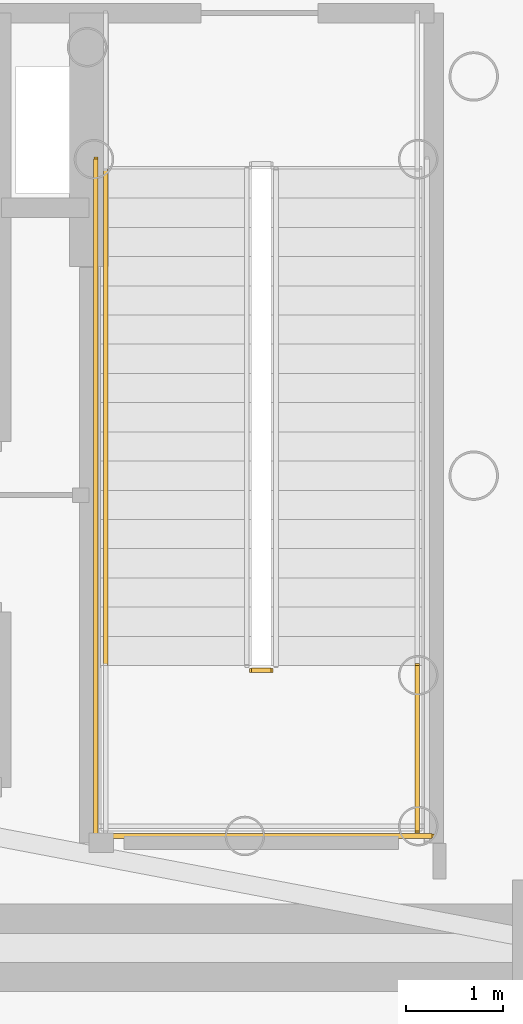
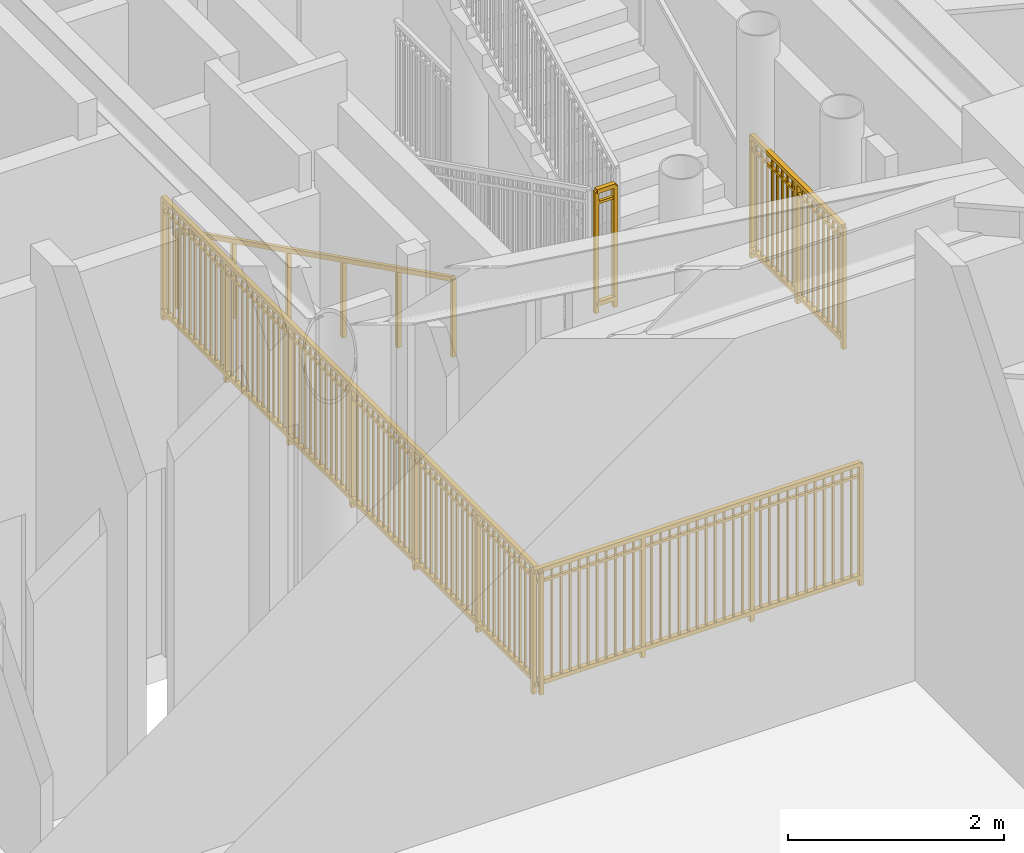
# One storey, part 20 of 22: 5 railings.
"""IFC4 building model written with IfcOpenShell, lengths in metres."""

import ifcopenshell
import ifcopenshell.guid

model = None  # the IFC model being written
_history = None  # IfcOwnerHistory: only IFC2X3 demands one
_inside = {}  # id of a spatial element -> (the spatial element, [elements in it])
_under = {}  # id of a project, library or spatial element -> (it, [spatial elements below it])
_declared = {}  # id of a project -> (the project, [libraries it declares])
_typed = {}  # id of a type object -> (the type object, [elements of that type])
_made_of = {}  # id of a material, layer set ... -> (it, [elements and type objects made of it])


def new_model(schema):
    """Start an empty IFC model of exactly this schema.

    Asked for "IFC4X3", IfcOpenShell would pick the latest addendum, in which some entities
    have other attributes; the version numbers below select the first issue.
    IFC2X3 requires an IfcOwnerHistory on every rooted entity: one is made here for all.
    """
    global model, _history
    if schema == "IFC4X3":
        model = ifcopenshell.file(schema_version=(4, 3, 0, 0))
    else:
        model = ifcopenshell.file(schema=schema)
    _inside.clear()
    _under.clear()
    _declared.clear()
    _typed.clear()
    _made_of.clear()
    _history = None
    if model.schema == "IFC2X3":
        org = make("IfcOrganization", Name="unknown")
        user = make(
            "IfcPersonAndOrganization",
            ThePerson=make("IfcPerson", FamilyName="unknown"),
            TheOrganization=org,
        )
        app = make(
            "IfcApplication",
            ApplicationDeveloper=org,
            Version="unknown",
            ApplicationFullName="unknown",
            ApplicationIdentifier="unknown",
        )
        _history = make(
            "IfcOwnerHistory",
            OwningUser=user,
            OwningApplication=app,
            ChangeAction="ADDED",
            CreationDate=0,
        )
    return model


def make(cls, **values):
    """One entity of the class cls with the attributes given. An attribute that is None is left unset."""
    return model.create_entity(
        cls, **{name: value for name, value in values.items() if value is not None}
    )


def rooted(cls, **values):
    """An entity with a GlobalId (a new one), such as an element, a storey or a relation."""
    return make(cls, GlobalId=ifcopenshell.guid.new(), OwnerHistory=_history, **values)


def si_unit(unit_type, name, prefix=None):
    """IfcSIUnit, for example si_unit("LENGTHUNIT", "METRE", prefix="MILLI")."""
    return make("IfcSIUnit", UnitType=unit_type, Prefix=prefix, Name=name)


def assignment(units):
    """IfcUnitAssignment: the units of a project."""
    return None if units is None else make("IfcUnitAssignment", Units=units)


def point(xyz):
    """IfcCartesianPoint."""
    return None if xyz is None else make("IfcCartesianPoint", Coordinates=xyz)


def direction(xyz):
    """IfcDirection."""
    return None if xyz is None else make("IfcDirection", DirectionRatios=xyz)


def frame(location, z_axis=None, x_axis=None):
    """IfcAxis2Placement3D, a coordinate frame: its origin and axes. An axis left out is left unset."""
    return make(
        "IfcAxis2Placement3D",
        Location=point(location),
        Axis=direction(z_axis),
        RefDirection=direction(x_axis),
    )


def frame_2d(location, x_axis=None):
    """IfcAxis2Placement2D, a coordinate frame in the plane: its origin and x axis."""
    return make(
        "IfcAxis2Placement2D", Location=point(location), RefDirection=direction(x_axis)
    )


def origin():
    """The frame at (0, 0, 0) with its axes left unset."""
    return frame((0.0, 0.0, 0.0))


def origin_2d():
    """The frame at (0, 0) in the plane with its x axis left unset."""
    return frame_2d((0.0, 0.0))


def place(relative_to, where):
    """IfcLocalPlacement: puts the frame where relative to a parent placement (None: the world)."""
    return make(
        "IfcLocalPlacement", PlacementRelTo=relative_to, RelativePlacement=where
    )


def context(
    kind, dimensions, precision=None, world=None, true_north=None, identifier=None
):
    """IfcGeometricRepresentationContext, for example the 3D "Model" context."""
    return make(
        "IfcGeometricRepresentationContext",
        ContextIdentifier=identifier,
        ContextType=kind,
        CoordinateSpaceDimension=dimensions,
        Precision=precision,
        WorldCoordinateSystem=world,
        TrueNorth=true_north,
    )


def subcontext(parent, identifier, kind, view, scale=None):
    """IfcGeometricRepresentationSubContext, for example "Body" below "Model"."""
    return make(
        "IfcGeometricRepresentationSubContext",
        ContextIdentifier=identifier,
        ContextType=kind,
        ParentContext=parent,
        TargetScale=scale,
        TargetView=view,
    )


def project(units=None, contexts=None):
    """IfcProject with its units and contexts."""
    return rooted(
        "IfcProject",
        Name="project",
        RepresentationContexts=contexts,
        UnitsInContext=assignment(units),
    )


def spatial(cls, under=None, at=None, **own):
    """A site, building, storey or space (cls), placed at a placement, below another one or the project."""
    s = rooted(cls, ObjectPlacement=at, **own)
    if under is not None:
        _under.setdefault(under.id(), (under, []))[1].append(s)
    return s


def profile(cls, at=None, kind="AREA", **sizes):
    """A parametric profile (cls). Its sizes go by their IFC names, for example OverallWidth=200.0."""
    return make(cls, ProfileType=kind, Position=at, **sizes)


def rectangle(**sizes):
    """IfcRectangleProfileDef."""
    return profile("IfcRectangleProfileDef", **sizes)


def extrude(swept, where, along, depth):
    """IfcExtrudedAreaSolid: the profile swept, set in the frame where, extruded along a direction by depth."""
    return make(
        "IfcExtrudedAreaSolid",
        SweptArea=swept,
        Position=where,
        ExtrudedDirection=direction(along),
        Depth=depth,
    )


def shape(context_of_items, identifier, shape_type, items):
    """IfcShapeRepresentation: the items that make up one representation, for example the "Body"."""
    return make(
        "IfcShapeRepresentation",
        ContextOfItems=context_of_items,
        RepresentationIdentifier=identifier,
        RepresentationType=shape_type,
        Items=items,
    )


def source(mapping_origin, context_of_items, identifier, shape_type, items):
    """IfcRepresentationMap: a shape defined once, which mapped items show again and again."""
    return make(
        "IfcRepresentationMap",
        MappingOrigin=mapping_origin,
        MappedRepresentation=shape(context_of_items, identifier, shape_type, items),
    )


def transform(
    local_origin,
    x_axis=None,
    y_axis=None,
    z_axis=None,
    scale=None,
    scale2=None,
    scale3=None,
    uniform=True,
):
    """IfcCartesianTransformationOperator3D, or its non-uniform kind. x_axis, y_axis, z_axis: its Axis1, 2, 3."""
    if uniform:
        return make(
            "IfcCartesianTransformationOperator3D",
            Axis1=direction(x_axis),
            Axis2=direction(y_axis),
            LocalOrigin=point(local_origin),
            Scale=scale,
            Axis3=direction(z_axis),
        )
    return make(
        "IfcCartesianTransformationOperator3DnonUniform",
        Axis1=direction(x_axis),
        Axis2=direction(y_axis),
        LocalOrigin=point(local_origin),
        Scale=scale,
        Axis3=direction(z_axis),
        Scale2=scale2,
        Scale3=scale3,
    )


def mapped(mapping_source, mapping_target):
    """IfcMappedItem: shows the shape of a source again, moved by a transform."""
    return make(
        "IfcMappedItem", MappingSource=mapping_source, MappingTarget=mapping_target
    )


def material(Name=None, Category=None):
    """IfcMaterial."""
    return make("IfcMaterial", Name=Name, Category=Category)


def made_of(thing, what):
    """Note that an element or type object is made of a material, layer set ...; save() writes the relation."""
    if what is not None:
        _made_of.setdefault(what.id(), (what, []))[1].append(thing)
    return thing


def type_object(cls, material=None, **own):
    """A type object (cls), such as IfcWallType, which elements share."""
    return made_of(rooted(cls, **own), material)


def element(
    cls,
    number,
    at=None,
    inside=None,
    cuts=None,
    type_object=None,
    material=None,
    context=None,
    identifier="Body",
    shape_type=None,
    held_by="IfcProductDefinitionShape",
    body=None,
    shapes=None,
    **own,
):
    """One element of the class cls, such as IfcWall. Its Tag is "e" and its number.

    at: its placement. inside: the storey or other place that contains it. cuts: it is an
    opening in that element (IfcRelVoidsElement). A single representation is given by context,
    identifier, shape_type and body (its items); several are given by shapes. held_by: the class
    of the entity that holds the representations. save() writes the other relations.
    """
    e = rooted(cls, Tag="e%d" % number, ObjectPlacement=at, **own)
    if body is not None:
        shapes = [shape(context, identifier, shape_type, body)]
    if shapes is not None:
        e.Representation = make(held_by, Representations=shapes)
    if inside is not None:
        _inside.setdefault(inside.id(), (inside, []))[1].append(e)
    if cuts is not None:
        rooted(
            "IfcRelVoidsElement", RelatingBuildingElement=cuts, RelatedOpeningElement=e
        )
    if type_object is not None:
        _typed.setdefault(type_object.id(), (type_object, []))[1].append(e)
    return made_of(e, material)


def aggregate(whole, parts):
    """IfcRelAggregates: a whole, such as a stair, and the parts it consists of."""
    return rooted("IfcRelAggregates", RelatingObject=whole, RelatedObjects=parts)


def save(model, path):
    """Write the relations noted so far, then the file.

    IfcRelAggregates (storeys below a building ...), IfcRelContainedInSpatialStructure (elements
    in a storey), IfcRelDefinesByType, IfcRelAssociatesMaterial and IfcRelDeclares: one each for
    every whole, place, type object, material and project.
    """
    for whole, parts in _under.values():
        aggregate(whole, parts)
    for where, things in _inside.values():
        rooted(
            "IfcRelContainedInSpatialStructure",
            RelatedElements=things,
            RelatingStructure=where,
        )
    for kind, things in _typed.values():
        rooted("IfcRelDefinesByType", RelatedObjects=things, RelatingType=kind)
    for what, things in _made_of.values():
        rooted("IfcRelAssociatesMaterial", RelatedObjects=things, RelatingMaterial=what)
    for by, libraries in _declared.values():
        rooted("IfcRelDeclares", RelatingContext=by, RelatedDefinitions=libraries)
    model.write(path)


model = new_model("IFC4")

# Units and contexts
model_context = context("Model", 3, precision=1e-05, world=origin(), true_north=direction((0.0, 1.0)))
body_context = subcontext(model_context, "Body", "Model", "MODEL_VIEW")
ifc_project = project(units=[si_unit("LENGTHUNIT", "METRE"), si_unit("AREAUNIT", "SQUARE_METRE"), si_unit("VOLUMEUNIT", "CUBIC_METRE"), si_unit("PLANEANGLEUNIT", "RADIAN"), si_unit("MASSUNIT", "GRAM", prefix="KILO")], contexts=[model_context])

# Site, building, storey
site_placement = place(None, origin())
site = spatial("IfcSite", under=ifc_project, at=site_placement, CompositionType="ELEMENT")
building_placement = place(site_placement, origin())
building = spatial("IfcBuilding", under=site, at=building_placement, Name="Linh Dai School and Residence Tower", CompositionType="ELEMENT")
storey_placement = place(building_placement, frame((0.0, 0.0, 87.0)))
storey = spatial("IfcBuildingStorey", under=building, at=storey_placement, Name="L20", CompositionType="ELEMENT", Elevation=87.0)

# Railings
ifc_material_1 = material(Name="Brushed Stainless Steel Handrail", Category="steel")
railing_type_1 = type_object("IfcRailingType", Name="RL-ST-HANDRAIL-900", PredefinedType="HANDRAIL", material=ifc_material_1)
shared_shape_1 = source(origin(), body_context, "Body", "SweptSolid", [
    extrude(rectangle(XDim=0.048095703125, YDim=0.048095703125, at=origin_2d()), frame((0.0, 0.0, 0.8759765625), z_axis=(0.0, -0.894427191, 0.4472135955), x_axis=(1.0, 0.0, 0.0)), (0.0, 0.0, 1.0), 5.7021484375),
    extrude(rectangle(XDim=0.0419921875, YDim=0.0419921875, at=origin_2d()), origin(), (0.0, 0.0, 1.0), 0.8759765625),
    extrude(rectangle(XDim=0.0419921875, YDim=0.0419921875, at=origin_2d()), frame((0.0, -1.02001953125, 0.510009765625)), (0.0, 0.0, 1.0), 0.8759765625),
    extrude(rectangle(XDim=0.0419921875, YDim=0.0419921875, at=origin_2d()), frame((0.0, -2.0400390625, 1.02001953125)), (0.0, 0.0, 1.0), 0.8759765625),
    extrude(rectangle(XDim=0.0419921875, YDim=0.0419921875, at=origin_2d()), frame((0.0, -3.06005859375, 1.530029296875)), (0.0, 0.0, 1.0), 0.8759765625),
    extrude(rectangle(XDim=0.0419921875, YDim=0.0419921875, at=origin_2d()), frame((0.0, -4.080078125, 2.0400390625)), (0.0, 0.0, 1.0), 0.8759765625),
    extrude(rectangle(XDim=0.0419921875, YDim=0.0419921875, at=origin_2d()), frame((0.0, -5.10009765625, 2.550048828125)), (0.0, 0.0, 1.0), 0.8759765625),
])
railing_1_placement = place(storey_placement, frame((41.070068359375, 28.25, 0.14990234375)))
element("IfcRailing", 1, at=railing_1_placement, inside=storey, type_object=railing_type_1, Name="L20 ST2 stair handrail 1", PredefinedType="HANDRAIL", context=body_context, shape_type="MappedRepresentation", body=[
    mapped(shared_shape_1, transform((0.0, 0.0, 0.0), x_axis=(1.0, 0.0, 0.0), y_axis=(0.0, 1.0, 0.0), z_axis=(0.0, 0.0, 1.0), scale=1.0)),
])
ifc_material_2 = material(Name="Structural Steel S355JR", Category="steel")
railing_type_2 = type_object("IfcRailingType", Name="RL-ST-GUARD-1400", PredefinedType="GUARDRAIL", material=ifc_material_2)
shared_shape_2 = source(origin(), body_context, "Body", "SweptSolid", [
    extrude(rectangle(XDim=0.048095703125, YDim=0.048095703125, at=origin_2d()), frame((0.0, 0.0, 1.3759765625), z_axis=(1.0, 0.0, 0.0), x_axis=(0.0, 1.0, 0.0)), (0.0, 0.0, 1.0), 0.199951171875),
    extrude(rectangle(XDim=0.048095703125, YDim=0.048095703125, at=origin_2d()), frame((0.0, 0.0, 0.10009765625), z_axis=(1.0, 0.0, 0.0), x_axis=(0.0, 1.0, 0.0)), (0.0, 0.0, 1.0), 0.199951171875),
    extrude(rectangle(XDim=0.030029296875, YDim=0.030029296875, at=origin_2d()), frame((0.0, 0.0, 1.239990234375), z_axis=(1.0, 0.0, 0.0), x_axis=(0.0, 1.0, 0.0)), (0.0, 0.0, 1.0), 0.199951171875),
    extrude(rectangle(XDim=0.0419921875, YDim=0.0419921875, at=origin_2d()), origin(), (0.0, 0.0, 1.0), 1.3759765625),
    extrude(rectangle(XDim=0.0419921875, YDim=0.0419921875, at=origin_2d()), frame((0.199951171875, 0.0, 0.0)), (0.0, 0.0, 1.0), 1.3759765625),
])
railing_2_placement = place(storey_placement, frame((42.570068359375, 23.10009765625, 2.699951171875)))
element("IfcRailing", 2, at=railing_2_placement, inside=storey, type_object=railing_type_2, Name="L20 ST2 stair guard 2", PredefinedType="GUARDRAIL", context=body_context, shape_type="MappedRepresentation", body=[
    mapped(shared_shape_2, transform((0.0, 0.0, 0.0), x_axis=(1.0, 0.0, 0.0), y_axis=(0.0, 1.0, 0.0), z_axis=(0.0, 0.0, 1.0), scale=1.0)),
])
shared_shape_3 = source(origin(), body_context, "Body", "SweptSolid", [
    extrude(rectangle(XDim=0.048095703125, YDim=0.048095703125, at=origin_2d()), frame((0.0, 0.0, 1.3759765625), z_axis=(0.0, -1.0, 0.0), x_axis=(1.0, 0.0, 0.0)), (0.0, 0.0, 1.0), 7.0),
    extrude(rectangle(XDim=0.048095703125, YDim=0.048095703125, at=origin_2d()), frame((0.0, 0.0, 0.10009765625), z_axis=(0.0, -1.0, 0.0), x_axis=(1.0, 0.0, 0.0)), (0.0, 0.0, 1.0), 7.0),
    extrude(rectangle(XDim=0.030029296875, YDim=0.030029296875, at=origin_2d()), frame((0.0, 0.0, 1.239990234375), z_axis=(0.0, -1.0, 0.0), x_axis=(1.0, 0.0, 0.0)), (0.0, 0.0, 1.0), 7.0),
    extrude(rectangle(XDim=0.02001953125, YDim=0.02001953125, at=origin_2d()), frame((0.0, -0.09716796875, 0.10009765625)), (0.0, 0.0, 1.0), 1.251708984375),
    extrude(rectangle(XDim=0.02001953125, YDim=0.02001953125, at=origin_2d()), frame((0.0, -0.1943359375, 0.10009765625)), (0.0, 0.0, 1.0), 1.251708984375),
    extrude(rectangle(XDim=0.02001953125, YDim=0.02001953125, at=origin_2d()), frame((0.0, -0.291748046875, 0.10009765625)), (0.0, 0.0, 1.0), 1.251708984375),
    extrude(rectangle(XDim=0.02001953125, YDim=0.02001953125, at=origin_2d()), frame((0.0, -0.388916015625, 0.10009765625)), (0.0, 0.0, 1.0), 1.251708984375),
    extrude(rectangle(XDim=0.02001953125, YDim=0.02001953125, at=origin_2d()), frame((0.0, -0.486083984375, 0.10009765625)), (0.0, 0.0, 1.0), 1.251708984375),
    extrude(rectangle(XDim=0.02001953125, YDim=0.02001953125, at=origin_2d()), frame((0.0, -0.583251953125, 0.10009765625)), (0.0, 0.0, 1.0), 1.251708984375),
    extrude(rectangle(XDim=0.02001953125, YDim=0.02001953125, at=origin_2d()), frame((0.0, -0.6806640625, 0.10009765625)), (0.0, 0.0, 1.0), 1.251708984375),
    extrude(rectangle(XDim=0.02001953125, YDim=0.02001953125, at=origin_2d()), frame((0.0, -0.77783203125, 0.10009765625)), (0.0, 0.0, 1.0), 1.251708984375),
    extrude(rectangle(XDim=0.02001953125, YDim=0.02001953125, at=origin_2d()), frame((0.0, -0.875, 0.10009765625)), (0.0, 0.0, 1.0), 1.251708984375),
    extrude(rectangle(XDim=0.02001953125, YDim=0.02001953125, at=origin_2d()), frame((0.0, -0.97216796875, 0.10009765625)), (0.0, 0.0, 1.0), 1.251708984375),
    extrude(rectangle(XDim=0.02001953125, YDim=0.02001953125, at=origin_2d()), frame((0.0, -1.0693359375, 0.10009765625)), (0.0, 0.0, 1.0), 1.251708984375),
    extrude(rectangle(XDim=0.02001953125, YDim=0.02001953125, at=origin_2d()), frame((0.0, -1.263916015625, 0.10009765625)), (0.0, 0.0, 1.0), 1.251708984375),
    extrude(rectangle(XDim=0.02001953125, YDim=0.02001953125, at=origin_2d()), frame((0.0, -1.361083984375, 0.10009765625)), (0.0, 0.0, 1.0), 1.251708984375),
    extrude(rectangle(XDim=0.02001953125, YDim=0.02001953125, at=origin_2d()), frame((0.0, -1.458251953125, 0.10009765625)), (0.0, 0.0, 1.0), 1.251708984375),
    extrude(rectangle(XDim=0.02001953125, YDim=0.02001953125, at=origin_2d()), frame((0.0, -1.5556640625, 0.10009765625)), (0.0, 0.0, 1.0), 1.251708984375),
    extrude(rectangle(XDim=0.02001953125, YDim=0.02001953125, at=origin_2d()), frame((0.0, -1.65283203125, 0.10009765625)), (0.0, 0.0, 1.0), 1.251708984375),
    extrude(rectangle(XDim=0.02001953125, YDim=0.02001953125, at=origin_2d()), frame((0.0, -1.75, 0.10009765625)), (0.0, 0.0, 1.0), 1.251708984375),
    extrude(rectangle(XDim=0.02001953125, YDim=0.02001953125, at=origin_2d()), frame((0.0, -1.84716796875, 0.10009765625)), (0.0, 0.0, 1.0), 1.251708984375),
    extrude(rectangle(XDim=0.02001953125, YDim=0.02001953125, at=origin_2d()), frame((0.0, -1.9443359375, 0.10009765625)), (0.0, 0.0, 1.0), 1.251708984375),
    extrude(rectangle(XDim=0.02001953125, YDim=0.02001953125, at=origin_2d()), frame((0.0, -2.041748046875, 0.10009765625)), (0.0, 0.0, 1.0), 1.251708984375),
    extrude(rectangle(XDim=0.02001953125, YDim=0.02001953125, at=origin_2d()), frame((0.0, -2.138916015625, 0.10009765625)), (0.0, 0.0, 1.0), 1.251708984375),
    extrude(rectangle(XDim=0.02001953125, YDim=0.02001953125, at=origin_2d()), frame((0.0, -2.236083984375, 0.10009765625)), (0.0, 0.0, 1.0), 1.251708984375),
    extrude(rectangle(XDim=0.02001953125, YDim=0.02001953125, at=origin_2d()), frame((0.0, -2.4306640625, 0.10009765625)), (0.0, 0.0, 1.0), 1.251708984375),
    extrude(rectangle(XDim=0.02001953125, YDim=0.02001953125, at=origin_2d()), frame((0.0, -2.52783203125, 0.10009765625)), (0.0, 0.0, 1.0), 1.251708984375),
    extrude(rectangle(XDim=0.02001953125, YDim=0.02001953125, at=origin_2d()), frame((0.0, -2.625, 0.10009765625)), (0.0, 0.0, 1.0), 1.251708984375),
    extrude(rectangle(XDim=0.02001953125, YDim=0.02001953125, at=origin_2d()), frame((0.0, -2.72216796875, 0.10009765625)), (0.0, 0.0, 1.0), 1.251708984375),
    extrude(rectangle(XDim=0.02001953125, YDim=0.02001953125, at=origin_2d()), frame((0.0, -2.8193359375, 0.10009765625)), (0.0, 0.0, 1.0), 1.251708984375),
    extrude(rectangle(XDim=0.02001953125, YDim=0.02001953125, at=origin_2d()), frame((0.0, -2.916748046875, 0.10009765625)), (0.0, 0.0, 1.0), 1.251708984375),
    extrude(rectangle(XDim=0.02001953125, YDim=0.02001953125, at=origin_2d()), frame((0.0, -3.013916015625, 0.10009765625)), (0.0, 0.0, 1.0), 1.251708984375),
    extrude(rectangle(XDim=0.02001953125, YDim=0.02001953125, at=origin_2d()), frame((0.0, -3.111083984375, 0.10009765625)), (0.0, 0.0, 1.0), 1.251708984375),
    extrude(rectangle(XDim=0.02001953125, YDim=0.02001953125, at=origin_2d()), frame((0.0, -3.208251953125, 0.10009765625)), (0.0, 0.0, 1.0), 1.251708984375),
    extrude(rectangle(XDim=0.02001953125, YDim=0.02001953125, at=origin_2d()), frame((0.0, -3.3056640625, 0.10009765625)), (0.0, 0.0, 1.0), 1.251708984375),
    extrude(rectangle(XDim=0.02001953125, YDim=0.02001953125, at=origin_2d()), frame((0.0, -3.40283203125, 0.10009765625)), (0.0, 0.0, 1.0), 1.251708984375),
    extrude(rectangle(XDim=0.02001953125, YDim=0.02001953125, at=origin_2d()), frame((0.0, -3.59716796875, 0.10009765625)), (0.0, 0.0, 1.0), 1.251708984375),
    extrude(rectangle(XDim=0.02001953125, YDim=0.02001953125, at=origin_2d()), frame((0.0, -3.6943359375, 0.10009765625)), (0.0, 0.0, 1.0), 1.251708984375),
    extrude(rectangle(XDim=0.02001953125, YDim=0.02001953125, at=origin_2d()), frame((0.0, -3.791748046875, 0.10009765625)), (0.0, 0.0, 1.0), 1.251708984375),
    extrude(rectangle(XDim=0.02001953125, YDim=0.02001953125, at=origin_2d()), frame((0.0, -3.888916015625, 0.10009765625)), (0.0, 0.0, 1.0), 1.251708984375),
    extrude(rectangle(XDim=0.02001953125, YDim=0.02001953125, at=origin_2d()), frame((0.0, -3.986083984375, 0.10009765625)), (0.0, 0.0, 1.0), 1.251708984375),
    extrude(rectangle(XDim=0.02001953125, YDim=0.02001953125, at=origin_2d()), frame((0.0, -4.083251953125, 0.10009765625)), (0.0, 0.0, 1.0), 1.251708984375),
    extrude(rectangle(XDim=0.02001953125, YDim=0.02001953125, at=origin_2d()), frame((0.0, -4.1806640625, 0.10009765625)), (0.0, 0.0, 1.0), 1.251708984375),
    extrude(rectangle(XDim=0.02001953125, YDim=0.02001953125, at=origin_2d()), frame((0.0, -4.27783203125, 0.10009765625)), (0.0, 0.0, 1.0), 1.251708984375),
    extrude(rectangle(XDim=0.02001953125, YDim=0.02001953125, at=origin_2d()), frame((0.0, -4.375, 0.10009765625)), (0.0, 0.0, 1.0), 1.251708984375),
    extrude(rectangle(XDim=0.02001953125, YDim=0.02001953125, at=origin_2d()), frame((0.0, -4.47216796875, 0.10009765625)), (0.0, 0.0, 1.0), 1.251708984375),
    extrude(rectangle(XDim=0.02001953125, YDim=0.02001953125, at=origin_2d()), frame((0.0, -4.5693359375, 0.10009765625)), (0.0, 0.0, 1.0), 1.251708984375),
    extrude(rectangle(XDim=0.02001953125, YDim=0.02001953125, at=origin_2d()), frame((0.0, -4.763916015625, 0.10009765625)), (0.0, 0.0, 1.0), 1.251708984375),
    extrude(rectangle(XDim=0.02001953125, YDim=0.02001953125, at=origin_2d()), frame((0.0, -4.861083984375, 0.10009765625)), (0.0, 0.0, 1.0), 1.251708984375),
    extrude(rectangle(XDim=0.02001953125, YDim=0.02001953125, at=origin_2d()), frame((0.0, -4.958251953125, 0.10009765625)), (0.0, 0.0, 1.0), 1.251708984375),
    extrude(rectangle(XDim=0.02001953125, YDim=0.02001953125, at=origin_2d()), frame((0.0, -5.0556640625, 0.10009765625)), (0.0, 0.0, 1.0), 1.251708984375),
    extrude(rectangle(XDim=0.02001953125, YDim=0.02001953125, at=origin_2d()), frame((0.0, -5.15283203125, 0.10009765625)), (0.0, 0.0, 1.0), 1.251708984375),
    extrude(rectangle(XDim=0.02001953125, YDim=0.02001953125, at=origin_2d()), frame((0.0, -5.25, 0.10009765625)), (0.0, 0.0, 1.0), 1.251708984375),
    extrude(rectangle(XDim=0.02001953125, YDim=0.02001953125, at=origin_2d()), frame((0.0, -5.34716796875, 0.10009765625)), (0.0, 0.0, 1.0), 1.251708984375),
    extrude(rectangle(XDim=0.02001953125, YDim=0.02001953125, at=origin_2d()), frame((0.0, -5.4443359375, 0.10009765625)), (0.0, 0.0, 1.0), 1.251708984375),
    extrude(rectangle(XDim=0.02001953125, YDim=0.02001953125, at=origin_2d()), frame((0.0, -5.541748046875, 0.10009765625)), (0.0, 0.0, 1.0), 1.251708984375),
    extrude(rectangle(XDim=0.02001953125, YDim=0.02001953125, at=origin_2d()), frame((0.0, -5.638916015625, 0.10009765625)), (0.0, 0.0, 1.0), 1.251708984375),
    extrude(rectangle(XDim=0.02001953125, YDim=0.02001953125, at=origin_2d()), frame((0.0, -5.736083984375, 0.10009765625)), (0.0, 0.0, 1.0), 1.251708984375),
    extrude(rectangle(XDim=0.02001953125, YDim=0.02001953125, at=origin_2d()), frame((0.0, -5.9306640625, 0.10009765625)), (0.0, 0.0, 1.0), 1.251708984375),
    extrude(rectangle(XDim=0.02001953125, YDim=0.02001953125, at=origin_2d()), frame((0.0, -6.02783203125, 0.10009765625)), (0.0, 0.0, 1.0), 1.251708984375),
    extrude(rectangle(XDim=0.02001953125, YDim=0.02001953125, at=origin_2d()), frame((0.0, -6.125, 0.10009765625)), (0.0, 0.0, 1.0), 1.251708984375),
    extrude(rectangle(XDim=0.02001953125, YDim=0.02001953125, at=origin_2d()), frame((0.0, -6.22216796875, 0.10009765625)), (0.0, 0.0, 1.0), 1.251708984375),
    extrude(rectangle(XDim=0.02001953125, YDim=0.02001953125, at=origin_2d()), frame((0.0, -6.3193359375, 0.10009765625)), (0.0, 0.0, 1.0), 1.251708984375),
    extrude(rectangle(XDim=0.02001953125, YDim=0.02001953125, at=origin_2d()), frame((0.0, -6.416748046875, 0.10009765625)), (0.0, 0.0, 1.0), 1.251708984375),
    extrude(rectangle(XDim=0.02001953125, YDim=0.02001953125, at=origin_2d()), frame((0.0, -6.513916015625, 0.10009765625)), (0.0, 0.0, 1.0), 1.251708984375),
    extrude(rectangle(XDim=0.02001953125, YDim=0.02001953125, at=origin_2d()), frame((0.0, -6.611083984375, 0.10009765625)), (0.0, 0.0, 1.0), 1.251708984375),
    extrude(rectangle(XDim=0.02001953125, YDim=0.02001953125, at=origin_2d()), frame((0.0, -6.708251953125, 0.10009765625)), (0.0, 0.0, 1.0), 1.251708984375),
    extrude(rectangle(XDim=0.02001953125, YDim=0.02001953125, at=origin_2d()), frame((0.0, -6.8056640625, 0.10009765625)), (0.0, 0.0, 1.0), 1.251708984375),
    extrude(rectangle(XDim=0.02001953125, YDim=0.02001953125, at=origin_2d()), frame((0.0, -6.90283203125, 0.10009765625)), (0.0, 0.0, 1.0), 1.251708984375),
    extrude(rectangle(XDim=0.0419921875, YDim=0.0419921875, at=origin_2d()), origin(), (0.0, 0.0, 1.0), 1.3759765625),
    extrude(rectangle(XDim=0.0419921875, YDim=0.0419921875, at=origin_2d()), frame((0.0, -1.166748046875, 0.0)), (0.0, 0.0, 1.0), 1.3759765625),
    extrude(rectangle(XDim=0.0419921875, YDim=0.0419921875, at=origin_2d()), frame((0.0, -2.333251953125, 0.0)), (0.0, 0.0, 1.0), 1.3759765625),
    extrude(rectangle(XDim=0.0419921875, YDim=0.0419921875, at=origin_2d()), frame((0.0, -3.5, 0.0)), (0.0, 0.0, 1.0), 1.3759765625),
    extrude(rectangle(XDim=0.0419921875, YDim=0.0419921875, at=origin_2d()), frame((0.0, -4.666748046875, 0.0)), (0.0, 0.0, 1.0), 1.3759765625),
    extrude(rectangle(XDim=0.0419921875, YDim=0.0419921875, at=origin_2d()), frame((0.0, -5.833251953125, 0.0)), (0.0, 0.0, 1.0), 1.3759765625),
    extrude(rectangle(XDim=0.0419921875, YDim=0.0419921875, at=origin_2d()), frame((0.0, -7.0, 0.0)), (0.0, 0.0, 1.0), 1.3759765625),
])
railing_3_placement = place(storey_placement, frame((40.969970703125, 28.35009765625, 0.0)))
element("IfcRailing", 3, at=railing_3_placement, inside=storey, type_object=railing_type_2, Name="L20 ST2 stair guard 10", PredefinedType="GUARDRAIL", context=body_context, shape_type="MappedRepresentation", body=[
    mapped(shared_shape_3, transform((0.0, 0.0, 0.0), x_axis=(1.0, 0.0, 0.0), y_axis=(0.0, 1.0, 0.0), z_axis=(0.0, 0.0, 1.0), scale=1.0)),
])
shared_shape_4 = source(origin(), body_context, "Body", "SweptSolid", [
    extrude(rectangle(XDim=0.048095703125, YDim=0.048095703125, at=origin_2d()), frame((0.0, 0.0, 1.3759765625), z_axis=(1.0, 0.0, 0.0), x_axis=(0.0, 1.0, 0.0)), (0.0, 0.0, 1.0), 3.5),
    extrude(rectangle(XDim=0.048095703125, YDim=0.048095703125, at=origin_2d()), frame((0.0, 0.0, 0.10009765625), z_axis=(1.0, 0.0, 0.0), x_axis=(0.0, 1.0, 0.0)), (0.0, 0.0, 1.0), 3.5),
    extrude(rectangle(XDim=0.030029296875, YDim=0.030029296875, at=origin_2d()), frame((0.0, 0.0, 1.239990234375), z_axis=(1.0, 0.0, 0.0), x_axis=(0.0, 1.0, 0.0)), (0.0, 0.0, 1.0), 3.5),
    extrude(rectangle(XDim=0.02001953125, YDim=0.02001953125, at=origin_2d()), frame((0.09716796875, 0.0, 0.10009765625)), (0.0, 0.0, 1.0), 1.251708984375),
    extrude(rectangle(XDim=0.02001953125, YDim=0.02001953125, at=origin_2d()), frame((0.1943359375, 0.0, 0.10009765625)), (0.0, 0.0, 1.0), 1.251708984375),
    extrude(rectangle(XDim=0.02001953125, YDim=0.02001953125, at=origin_2d()), frame((0.291748046875, 0.0, 0.10009765625)), (0.0, 0.0, 1.0), 1.251708984375),
    extrude(rectangle(XDim=0.02001953125, YDim=0.02001953125, at=origin_2d()), frame((0.388916015625, 0.0, 0.10009765625)), (0.0, 0.0, 1.0), 1.251708984375),
    extrude(rectangle(XDim=0.02001953125, YDim=0.02001953125, at=origin_2d()), frame((0.486083984375, 0.0, 0.10009765625)), (0.0, 0.0, 1.0), 1.251708984375),
    extrude(rectangle(XDim=0.02001953125, YDim=0.02001953125, at=origin_2d()), frame((0.583251953125, 0.0, 0.10009765625)), (0.0, 0.0, 1.0), 1.251708984375),
    extrude(rectangle(XDim=0.02001953125, YDim=0.02001953125, at=origin_2d()), frame((0.6806640625, 0.0, 0.10009765625)), (0.0, 0.0, 1.0), 1.251708984375),
    extrude(rectangle(XDim=0.02001953125, YDim=0.02001953125, at=origin_2d()), frame((0.77783203125, 0.0, 0.10009765625)), (0.0, 0.0, 1.0), 1.251708984375),
    extrude(rectangle(XDim=0.02001953125, YDim=0.02001953125, at=origin_2d()), frame((0.875, 0.0, 0.10009765625)), (0.0, 0.0, 1.0), 1.251708984375),
    extrude(rectangle(XDim=0.02001953125, YDim=0.02001953125, at=origin_2d()), frame((0.97216796875, 0.0, 0.10009765625)), (0.0, 0.0, 1.0), 1.251708984375),
    extrude(rectangle(XDim=0.02001953125, YDim=0.02001953125, at=origin_2d()), frame((1.0693359375, 0.0, 0.10009765625)), (0.0, 0.0, 1.0), 1.251708984375),
    extrude(rectangle(XDim=0.02001953125, YDim=0.02001953125, at=origin_2d()), frame((1.263916015625, 0.0, 0.10009765625)), (0.0, 0.0, 1.0), 1.251708984375),
    extrude(rectangle(XDim=0.02001953125, YDim=0.02001953125, at=origin_2d()), frame((1.361083984375, 0.0, 0.10009765625)), (0.0, 0.0, 1.0), 1.251708984375),
    extrude(rectangle(XDim=0.02001953125, YDim=0.02001953125, at=origin_2d()), frame((1.458251953125, 0.0, 0.10009765625)), (0.0, 0.0, 1.0), 1.251708984375),
    extrude(rectangle(XDim=0.02001953125, YDim=0.02001953125, at=origin_2d()), frame((1.5556640625, 0.0, 0.10009765625)), (0.0, 0.0, 1.0), 1.251708984375),
    extrude(rectangle(XDim=0.02001953125, YDim=0.02001953125, at=origin_2d()), frame((1.65283203125, 0.0, 0.10009765625)), (0.0, 0.0, 1.0), 1.251708984375),
    extrude(rectangle(XDim=0.02001953125, YDim=0.02001953125, at=origin_2d()), frame((1.75, 0.0, 0.10009765625)), (0.0, 0.0, 1.0), 1.251708984375),
    extrude(rectangle(XDim=0.02001953125, YDim=0.02001953125, at=origin_2d()), frame((1.84716796875, 0.0, 0.10009765625)), (0.0, 0.0, 1.0), 1.251708984375),
    extrude(rectangle(XDim=0.02001953125, YDim=0.02001953125, at=origin_2d()), frame((1.9443359375, 0.0, 0.10009765625)), (0.0, 0.0, 1.0), 1.251708984375),
    extrude(rectangle(XDim=0.02001953125, YDim=0.02001953125, at=origin_2d()), frame((2.041748046875, 0.0, 0.10009765625)), (0.0, 0.0, 1.0), 1.251708984375),
    extrude(rectangle(XDim=0.02001953125, YDim=0.02001953125, at=origin_2d()), frame((2.138916015625, 0.0, 0.10009765625)), (0.0, 0.0, 1.0), 1.251708984375),
    extrude(rectangle(XDim=0.02001953125, YDim=0.02001953125, at=origin_2d()), frame((2.236083984375, 0.0, 0.10009765625)), (0.0, 0.0, 1.0), 1.251708984375),
    extrude(rectangle(XDim=0.02001953125, YDim=0.02001953125, at=origin_2d()), frame((2.4306640625, 0.0, 0.10009765625)), (0.0, 0.0, 1.0), 1.251708984375),
    extrude(rectangle(XDim=0.02001953125, YDim=0.02001953125, at=origin_2d()), frame((2.52783203125, 0.0, 0.10009765625)), (0.0, 0.0, 1.0), 1.251708984375),
    extrude(rectangle(XDim=0.02001953125, YDim=0.02001953125, at=origin_2d()), frame((2.625, 0.0, 0.10009765625)), (0.0, 0.0, 1.0), 1.251708984375),
    extrude(rectangle(XDim=0.02001953125, YDim=0.02001953125, at=origin_2d()), frame((2.72216796875, 0.0, 0.10009765625)), (0.0, 0.0, 1.0), 1.251708984375),
    extrude(rectangle(XDim=0.02001953125, YDim=0.02001953125, at=origin_2d()), frame((2.8193359375, 0.0, 0.10009765625)), (0.0, 0.0, 1.0), 1.251708984375),
    extrude(rectangle(XDim=0.02001953125, YDim=0.02001953125, at=origin_2d()), frame((2.916748046875, 0.0, 0.10009765625)), (0.0, 0.0, 1.0), 1.251708984375),
    extrude(rectangle(XDim=0.02001953125, YDim=0.02001953125, at=origin_2d()), frame((3.013916015625, 0.0, 0.10009765625)), (0.0, 0.0, 1.0), 1.251708984375),
    extrude(rectangle(XDim=0.02001953125, YDim=0.02001953125, at=origin_2d()), frame((3.111083984375, 0.0, 0.10009765625)), (0.0, 0.0, 1.0), 1.251708984375),
    extrude(rectangle(XDim=0.02001953125, YDim=0.02001953125, at=origin_2d()), frame((3.208251953125, 0.0, 0.10009765625)), (0.0, 0.0, 1.0), 1.251708984375),
    extrude(rectangle(XDim=0.02001953125, YDim=0.02001953125, at=origin_2d()), frame((3.3056640625, 0.0, 0.10009765625)), (0.0, 0.0, 1.0), 1.251708984375),
    extrude(rectangle(XDim=0.02001953125, YDim=0.02001953125, at=origin_2d()), frame((3.40283203125, 0.0, 0.10009765625)), (0.0, 0.0, 1.0), 1.251708984375),
    extrude(rectangle(XDim=0.0419921875, YDim=0.0419921875, at=origin_2d()), origin(), (0.0, 0.0, 1.0), 1.3759765625),
    extrude(rectangle(XDim=0.0419921875, YDim=0.0419921875, at=origin_2d()), frame((1.166748046875, 0.0, 0.0)), (0.0, 0.0, 1.0), 1.3759765625),
    extrude(rectangle(XDim=0.0419921875, YDim=0.0419921875, at=origin_2d()), frame((2.333251953125, 0.0, 0.0)), (0.0, 0.0, 1.0), 1.3759765625),
    extrude(rectangle(XDim=0.0419921875, YDim=0.0419921875, at=origin_2d()), frame((3.5, 0.0, 0.0)), (0.0, 0.0, 1.0), 1.3759765625),
])
railing_4_placement = place(storey_placement, frame((40.919921875, 21.39990234375, 0.0)))
element("IfcRailing", 4, at=railing_4_placement, inside=storey, type_object=railing_type_2, Name="L20 ST2 stair guard 12", PredefinedType="GUARDRAIL", context=body_context, shape_type="MappedRepresentation", body=[
    mapped(shared_shape_4, transform((0.0, 0.0, 0.0), x_axis=(1.0, 0.0, 0.0), y_axis=(0.0, 1.0, 0.0), z_axis=(0.0, 0.0, 1.0), scale=1.0)),
])
shared_shape_5 = source(origin(), body_context, "Body", "SweptSolid", [
    extrude(rectangle(XDim=0.048095703125, YDim=0.048095703125, at=origin_2d()), frame((0.0, 0.0, 1.3759765625), z_axis=(0.0, -1.0, 0.0), x_axis=(1.0, 0.0, 0.0)), (0.0, 0.0, 1.0), 1.699951171875),
    extrude(rectangle(XDim=0.048095703125, YDim=0.048095703125, at=origin_2d()), frame((0.0, 0.0, 0.10009765625), z_axis=(0.0, -1.0, 0.0), x_axis=(1.0, 0.0, 0.0)), (0.0, 0.0, 1.0), 1.699951171875),
    extrude(rectangle(XDim=0.030029296875, YDim=0.030029296875, at=origin_2d()), frame((0.0, 0.0, 1.239990234375), z_axis=(0.0, -1.0, 0.0), x_axis=(1.0, 0.0, 0.0)), (0.0, 0.0, 1.0), 1.699951171875),
    extrude(rectangle(XDim=0.02001953125, YDim=0.02001953125, at=origin_2d()), frame((0.0, -0.094482421875, 0.10009765625)), (0.0, 0.0, 1.0), 1.251708984375),
    extrude(rectangle(XDim=0.02001953125, YDim=0.02001953125, at=origin_2d()), frame((0.0, -0.18896484375, 0.10009765625)), (0.0, 0.0, 1.0), 1.251708984375),
    extrude(rectangle(XDim=0.02001953125, YDim=0.02001953125, at=origin_2d()), frame((0.0, -0.283203125, 0.10009765625)), (0.0, 0.0, 1.0), 1.251708984375),
    extrude(rectangle(XDim=0.02001953125, YDim=0.02001953125, at=origin_2d()), frame((0.0, -0.377685546875, 0.10009765625)), (0.0, 0.0, 1.0), 1.251708984375),
    extrude(rectangle(XDim=0.02001953125, YDim=0.02001953125, at=origin_2d()), frame((0.0, -0.47216796875, 0.10009765625)), (0.0, 0.0, 1.0), 1.251708984375),
    extrude(rectangle(XDim=0.02001953125, YDim=0.02001953125, at=origin_2d()), frame((0.0, -0.566650390625, 0.10009765625)), (0.0, 0.0, 1.0), 1.251708984375),
    extrude(rectangle(XDim=0.02001953125, YDim=0.02001953125, at=origin_2d()), frame((0.0, -0.6611328125, 0.10009765625)), (0.0, 0.0, 1.0), 1.251708984375),
    extrude(rectangle(XDim=0.02001953125, YDim=0.02001953125, at=origin_2d()), frame((0.0, -0.755615234375, 0.10009765625)), (0.0, 0.0, 1.0), 1.251708984375),
    extrude(rectangle(XDim=0.02001953125, YDim=0.02001953125, at=origin_2d()), frame((0.0, -0.9443359375, 0.10009765625)), (0.0, 0.0, 1.0), 1.251708984375),
    extrude(rectangle(XDim=0.02001953125, YDim=0.02001953125, at=origin_2d()), frame((0.0, -1.038818359375, 0.10009765625)), (0.0, 0.0, 1.0), 1.251708984375),
    extrude(rectangle(XDim=0.02001953125, YDim=0.02001953125, at=origin_2d()), frame((0.0, -1.13330078125, 0.10009765625)), (0.0, 0.0, 1.0), 1.251708984375),
    extrude(rectangle(XDim=0.02001953125, YDim=0.02001953125, at=origin_2d()), frame((0.0, -1.227783203125, 0.10009765625)), (0.0, 0.0, 1.0), 1.251708984375),
    extrude(rectangle(XDim=0.02001953125, YDim=0.02001953125, at=origin_2d()), frame((0.0, -1.322265625, 0.10009765625)), (0.0, 0.0, 1.0), 1.251708984375),
    extrude(rectangle(XDim=0.02001953125, YDim=0.02001953125, at=origin_2d()), frame((0.0, -1.41650390625, 0.10009765625)), (0.0, 0.0, 1.0), 1.251708984375),
    extrude(rectangle(XDim=0.02001953125, YDim=0.02001953125, at=origin_2d()), frame((0.0, -1.510986328125, 0.10009765625)), (0.0, 0.0, 1.0), 1.251708984375),
    extrude(rectangle(XDim=0.02001953125, YDim=0.02001953125, at=origin_2d()), frame((0.0, -1.60546875, 0.10009765625)), (0.0, 0.0, 1.0), 1.251708984375),
    extrude(rectangle(XDim=0.0419921875, YDim=0.0419921875, at=origin_2d()), origin(), (0.0, 0.0, 1.0), 1.3759765625),
    extrude(rectangle(XDim=0.0419921875, YDim=0.0419921875, at=origin_2d()), frame((0.0, -0.85009765625, 0.0)), (0.0, 0.0, 1.0), 1.3759765625),
    extrude(rectangle(XDim=0.0419921875, YDim=0.0419921875, at=origin_2d()), frame((0.0, -1.699951171875, 0.0)), (0.0, 0.0, 1.0), 1.3759765625),
])
railing_5_placement = place(storey_placement, frame((44.27001953125, 23.14990234375, 2.699951171875)))
element("IfcRailing", 5, at=railing_5_placement, inside=storey, type_object=railing_type_2, Name="L20 ST2 stair guard 4", PredefinedType="GUARDRAIL", context=body_context, shape_type="MappedRepresentation", body=[
    mapped(shared_shape_5, transform((0.0, 0.0, 0.0), x_axis=(1.0, 0.0, 0.0), y_axis=(0.0, 1.0, 0.0), z_axis=(0.0, 0.0, 1.0), scale=1.0)),
])

save(model, "model.ifc")
